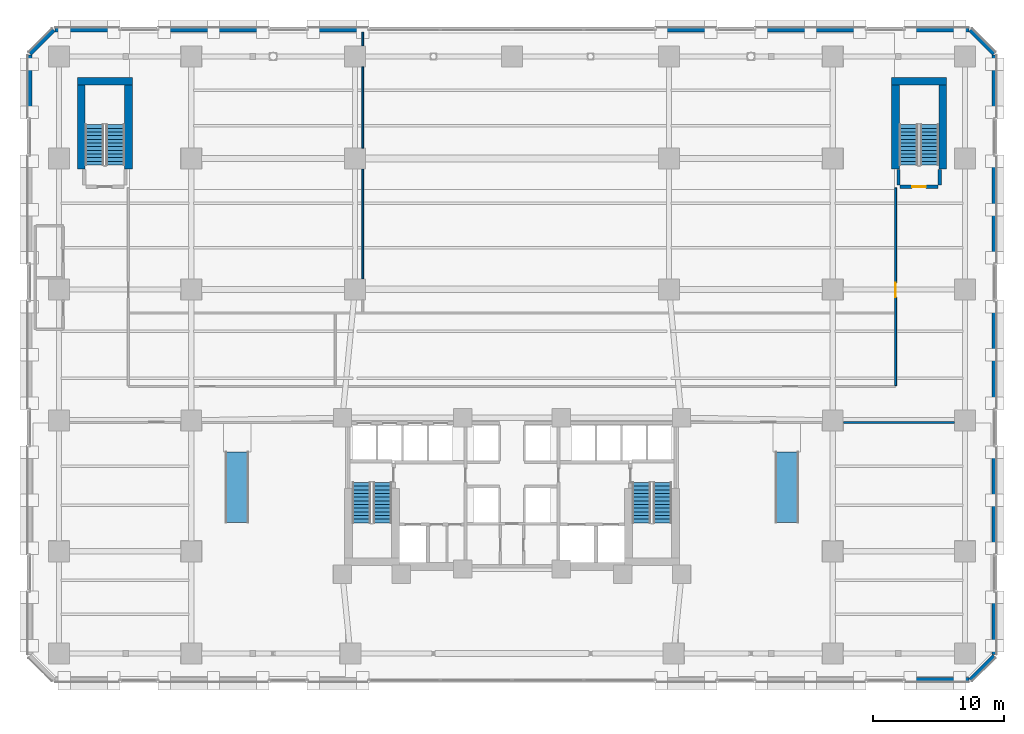
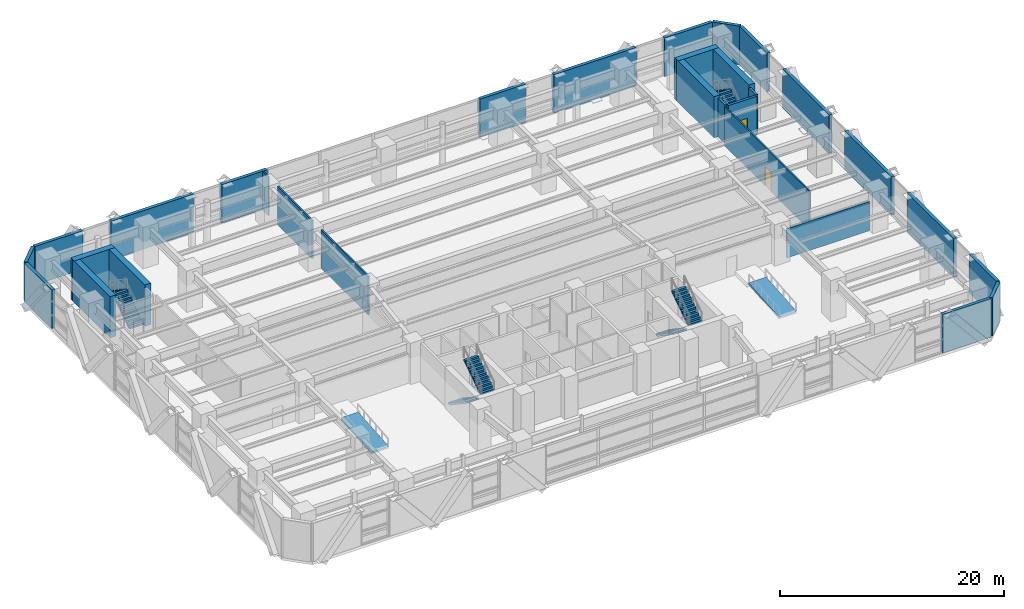
# One storey, part 16 of 26: 30 walls, 8 stair flights, 2 doors, 2 ramp flights, 2 openings, 6 elements without a shape of their own.
"""IFC4 building model written with IfcOpenShell, lengths in metres."""

from ifc_helpers import new_model, si_unit, direction, frame, frame_2d, origin, place, context, subcontext, project, spatial, polyline, rectangle, outline, extrude, material, layer, layer_set, type_object, element, fill, aggregate, save


model = new_model("IFC4")

# Units and contexts
model_context = context("Model", 3, precision=1e-05, world=origin(), true_north=direction((0.0, 1.0)))
body_context = subcontext(model_context, "Body", "Model", "MODEL_VIEW")
ifc_project = project(units=[si_unit("LENGTHUNIT", "METRE"), si_unit("AREAUNIT", "SQUARE_METRE"), si_unit("VOLUMEUNIT", "CUBIC_METRE"), si_unit("PLANEANGLEUNIT", "RADIAN"), si_unit("MASSUNIT", "GRAM", prefix="KILO")], contexts=[model_context])

# Site, building, storey
site_placement = place(None, origin())
site = spatial("IfcSite", under=ifc_project, at=site_placement, CompositionType="ELEMENT")
building_placement = place(site_placement, origin())
building = spatial("IfcBuilding", under=site, at=building_placement, Name="Quenlor Broadcast Tower", CompositionType="ELEMENT")
storey_placement = place(building_placement, frame((0.0, 0.0, 5.0)))
storey = spatial("IfcBuildingStorey", under=building, at=storey_placement, Name="L01", CompositionType="ELEMENT", Elevation=5.0)

# Wall, opening, door
ifc_material_1 = material(Name="Acoustic Double Stud Gypsum Partition", Category="other")
ifc_layer_1 = layer(ifc_material_1, 0.14990234375)
ifc_layer_set_1 = layer_set([ifc_layer_1], Name="Broadcast Studio Acoustic Partition 150")
wall_type_1 = type_object("IfcWallType", Name="Broadcast Studio Acoustic Partition 150", PredefinedType="PARTITIONING", material=ifc_layer_set_1)
wall_1_placement = place(storey_placement, frame((29.300048828125, -2.337890625, 0.0), z_axis=(0.0, 0.0, 1.0), x_axis=(0.0, 1.0, 0.0)))
wall_1 = element("IfcWall", 1, at=wall_1_placement, inside=storey, type_object=wall_type_1, Name="L01 Interior Wall PW-PD-LE", PredefinedType="PARTITIONING", context=body_context, shape_type="SweptSolid", body=[
    extrude(rectangle(XDim=15.087890625, YDim=0.14990234375, at=frame_2d((7.5439453125, 0.0))), origin(), (0.0, 0.0, 1.0), 4.199951171875),
])
opening_1_placement = place(wall_1_placement, frame((6.738037109375, 0.0, 0.0)))
opening_1 = element("IfcOpeningElement", 2, at=opening_1_placement, cuts=wall_1, Name="Opening ID-2", PredefinedType="OPENING", context=body_context, shape_type="SweptSolid", body=[
    extrude(rectangle(XDim=1.10009765625, YDim=2.14990234375, at=frame_2d((0.550048828125, 1.074951171875))), frame((0.0, 0.0849609375, 0.0), z_axis=(0.0, -1.0, 0.0), x_axis=(1.0, 0.0, 0.0)), (0.0, 0.0, 1.0), 0.169921875),
])
ifc_material_2 = material(Name="Acoustic Laminated Timber Oak", Category="wood")
door_type_1 = type_object("IfcDoorType", Name="Wide Studio Acoustic Timber Door 1100x2150", OperationType="NOTDEFINED", PredefinedType="DOOR", material=ifc_material_2)
door_1_placement = place(opening_1_placement, origin())
door_1 = element("IfcDoor", 3, at=door_1_placement, inside=storey, type_object=door_type_1, Name="L01 Door DR-PD6", OperationType="SINGLE_SWING_RIGHT", OverallHeight=2.14990234375, OverallWidth=1.10009765625, PredefinedType="DOOR", context=body_context, shape_type="SweptSolid", body=[
    extrude(rectangle(XDim=1.10009765625, YDim=2.14990234375, at=frame_2d((0.550048828125, 1.074951171875))), frame((0.0, 0.02490234375, 0.0), z_axis=(0.0, -1.0, 0.0), x_axis=(1.0, 0.0, 0.0)), (0.0, 0.0, 1.0), 0.050048828125),
])
fill(opening_1, door_1)

# Walls
wall_2_placement = place(storey_placement, frame((-11.39990234375, 5.802001953125, 0.0), z_axis=(0.0, 0.0, 1.0), x_axis=(0.0, 1.0, 0.0)))
element("IfcWall", 4, at=wall_2_placement, inside=storey, type_object=wall_type_1, Name="L01 Interior Wall PW-PD-VX2S2", PredefinedType="PARTITIONING", context=body_context, shape_type="SweptSolid", body=[
    extrude(rectangle(XDim=8.39599609375, YDim=0.14990234375, at=frame_2d((4.197998046875, 0.0))), origin(), (0.0, 0.0, 1.0), 4.199951171875),
])
wall_3_placement = place(storey_placement, frame((-11.39990234375, 15.802001953125, 0.0), z_axis=(0.0, 0.0, 1.0), x_axis=(0.0, 1.0, 0.0)))
element("IfcWall", 5, at=wall_3_placement, inside=storey, type_object=wall_type_1, Name="L01 Interior Wall PW-PD-VX2S3", PredefinedType="PARTITIONING", context=body_context, shape_type="SweptSolid", body=[
    extrude(rectangle(XDim=6.196044921875, YDim=0.14990234375, at=frame_2d((3.09814453125, 0.0))), origin(), (0.0, 0.0, 1.0), 4.199951171875),
])
wall_4_placement = place(storey_placement, frame((-11.39990234375, 23.60205078125, 0.0), z_axis=(0.0, 0.0, 1.0), x_axis=(0.0, 1.0, 0.0)))
element("IfcWall", 6, at=wall_4_placement, inside=storey, type_object=wall_type_1, Name="L01 Interior Wall PW-PD-VX2S4", PredefinedType="PARTITIONING", context=body_context, shape_type="SweptSolid", body=[
    extrude(rectangle(XDim=1.055908203125, YDim=0.14990234375, at=frame_2d((0.52783203125, 0.0))), origin(), (0.0, 0.0, 1.0), 4.199951171875),
])
ifc_material_3 = material(Name="Concrete C65/80", Category="concrete")
ifc_layer_2 = layer(ifc_material_3, 0.60009765625)
ifc_layer_set_2 = layer_set([ifc_layer_2], Name="Core Concrete C65/80 Shear Wall 600")
wall_type_2 = type_object("IfcWallType", Name="Core Concrete C65/80 Shear Wall 600", PredefinedType="SHEAR", material=ifc_layer_set_2)
wall_5_placement = place(storey_placement, frame((-33.199951171875, 20.89990234375, 0.0), z_axis=(0.0, 0.0, 1.0), x_axis=(1.0, 0.0, 0.0)))
element("IfcWall", 7, at=wall_5_placement, inside=storey, type_object=wall_type_2, Name="L01 Core Shear Wall ST3-N", PredefinedType="SHEAR", context=body_context, shape_type="SweptSolid", body=[
    extrude(rectangle(XDim=4.199951171875, YDim=0.60009765625, at=frame_2d((2.10009765625, 0.0))), origin(), (0.0, 0.0, 1.0), 4.5),
])
for number, where, z_axis, x_axis, name in (
    (8, (-32.89990234375, 14.199951171875, 0.0), (0.0, 0.0, 1.0), (0.0, 1.0, 0.0), "L01 Core Shear Wall ST3-W"),
    (9, (-29.300048828125, 14.199951171875, 0.0), (0.0, 0.0, 1.0), (0.0, 1.0, 0.0), "L01 Core Shear Wall ST3-E"),
):
    element("IfcWall", number, at=place(storey_placement, frame(where, z_axis=z_axis, x_axis=x_axis)), inside=storey, type_object=wall_type_2, Name=name, PredefinedType="SHEAR", context=body_context, shape_type="SweptSolid", body=[
        extrude(rectangle(XDim=6.699951171875, YDim=0.60009765625, at=frame_2d((3.35009765625, 0.0))), origin(), (0.0, 0.0, 1.0), 4.5),
    ])
wall_6_placement = place(storey_placement, frame((29.0, 20.89990234375, 0.0), z_axis=(0.0, 0.0, 1.0), x_axis=(1.0, 0.0, 0.0)))
element("IfcWall", 10, at=wall_6_placement, inside=storey, type_object=wall_type_2, Name="L01 Core Shear Wall ST4-N", PredefinedType="SHEAR", context=body_context, shape_type="SweptSolid", body=[
    extrude(rectangle(XDim=4.199951171875, YDim=0.60009765625, at=frame_2d((2.10009765625, 0.0))), origin(), (0.0, 0.0, 1.0), 4.5),
])
for number, where, z_axis, x_axis, name in (
    (11, (29.300048828125, 14.199951171875, 0.0), (0.0, 0.0, 1.0), (0.0, 1.0, 0.0), "L01 Core Shear Wall ST4-W"),
    (12, (32.89990234375, 14.199951171875, 0.0), (0.0, 0.0, 1.0), (0.0, 1.0, 0.0), "L01 Core Shear Wall ST4-E"),
):
    element("IfcWall", number, at=place(storey_placement, frame(where, z_axis=z_axis, x_axis=x_axis)), inside=storey, type_object=wall_type_2, Name=name, PredefinedType="SHEAR", context=body_context, shape_type="SweptSolid", body=[
        extrude(rectangle(XDim=6.699951171875, YDim=0.60009765625, at=frame_2d((3.35009765625, 0.0))), origin(), (0.0, 0.0, 1.0), 4.5),
    ])

# Wall, opening, door
ifc_material_4 = material(Name="Concrete C40/50", Category="concrete")
ifc_layer_3 = layer(ifc_material_4, 0.25)
ifc_layer_set_3 = layer_set([ifc_layer_3], Name="Fire Rated Concrete C40/50 Core Wall 250")
wall_type_3 = type_object("IfcWallType", Name="Fire Rated Concrete C40/50 Core Wall 250", PredefinedType="PARTITIONING", material=ifc_layer_set_3)
wall_7_placement = place(storey_placement, frame((29.64990234375, 12.840087890625, 0.0), z_axis=(0.0, 0.0, 1.0), x_axis=(1.0, 0.0, 0.0)))
wall_7 = element("IfcWall", 13, at=wall_7_placement, inside=storey, type_object=wall_type_3, Name="L01 Interior Wall CW-ST4-S", PredefinedType="PARTITIONING", context=body_context, shape_type="SweptSolid", body=[
    extrude(rectangle(XDim=2.900146484375, YDim=0.25, at=frame_2d((1.4501953125, 0.0))), origin(), (0.0, 0.0, 1.0), 4.199951171875),
])
opening_2_placement = place(wall_7_placement, frame((0.919921875, 0.0, 0.0)))
opening_2 = element("IfcOpeningElement", 14, at=opening_2_placement, cuts=wall_7, Name="Opening FD-1", PredefinedType="OPENING", context=body_context, shape_type="SweptSolid", body=[
    extrude(rectangle(XDim=1.050048828125, YDim=2.14990234375, at=frame_2d((0.52490234375, 1.074951171875))), frame((0.0, 0.135009765625, 0.0), z_axis=(0.0, -1.0, 0.0), x_axis=(1.0, 0.0, 0.0)), (0.0, 0.0, 1.0), 0.27001953125),
])
ifc_material_5 = material(Name="Fire Rated Steel Door Leaf", Category="steel")
door_type_2 = type_object("IfcDoorType", Name="Fire Isolated Stair Door 1050x2150", OperationType="NOTDEFINED", PredefinedType="DOOR", material=ifc_material_5)
door_2_placement = place(opening_2_placement, origin())
door_2 = element("IfcDoor", 15, at=door_2_placement, inside=storey, type_object=door_type_2, Name="L01 Door DR-ST4", OperationType="SINGLE_SWING_RIGHT", OverallHeight=2.14990234375, OverallWidth=1.050048828125, PredefinedType="DOOR", context=body_context, shape_type="SweptSolid", body=[
    extrude(rectangle(XDim=1.050048828125, YDim=2.14990234375, at=frame_2d((0.52490234375, 1.074951171875))), frame((0.0, 0.02490234375, 0.0), z_axis=(0.0, -1.0, 0.0), x_axis=(1.0, 0.0, 0.0)), (0.0, 0.0, 1.0), 0.050048828125),
])
fill(opening_2, door_2)

# Walls
for number, where, z_axis, x_axis, name in (
    (16, (29.52001953125, 12.9599609375, 0.0), (0.0, 0.0, 1.0), (0.0, 1.0, 0.0), "L01 Interior Wall CW-ST4-W1"),
    (17, (32.679931640625, 12.9599609375, 0.0), (0.0, 0.0, 1.0), (0.0, 1.0, 0.0), "L01 Interior Wall CW-ST4-E1"),
):
    element("IfcWall", number, at=place(storey_placement, frame(where, z_axis=z_axis, x_axis=x_axis)), inside=storey, type_object=wall_type_3, Name=name, PredefinedType="PARTITIONING", context=body_context, shape_type="SweptSolid", body=[
        extrude(rectangle(XDim=1.219970703125, YDim=0.25, at=frame_2d((0.60986328125, 0.0))), origin(), (0.0, 0.0, 1.0), 4.199951171875),
    ])
ifc_material_6 = material(Name="Gypsum Fireboard Partition", Category="other")
ifc_layer_4 = layer(ifc_material_6, 0.159912109375)
ifc_layer_set_4 = layer_set([ifc_layer_4], Name="Fire Rated Shaft and Corridor Partition 160")
wall_type_4 = type_object("IfcWallType", Name="Fire Rated Shaft and Corridor Partition 160", PredefinedType="PARTITIONING", material=ifc_layer_set_4)
wall_8_placement = place(storey_placement, frame((25.302001953125, -5.14990234375, 0.0), z_axis=(0.0, 0.0, 1.0), x_axis=(1.0, 0.0, 0.0)))
element("IfcWall", 18, at=wall_8_placement, inside=storey, type_object=wall_type_4, Name="L01 Interior Wall PW-PD-CSES2", PredefinedType="PARTITIONING", context=body_context, shape_type="SweptSolid", body=[
    extrude(rectangle(XDim=8.49609375, YDim=0.159912109375, at=frame_2d((4.248046875, 0.0))), origin(), (0.0, 0.0, 1.0), 3.176025390625),
])
ifc_material_7 = material(Name="Precast concrete C40/50", Category="concrete")
ifc_layer_5 = layer(ifc_material_7, 0.320068359375)
ifc_layer_set_5 = layer_set([ifc_layer_5], Name="Station Podium Precast Concrete C40/50 Facade Wall 320")
wall_type_5 = type_object("IfcWallType", Name="Station Podium Precast Concrete C40/50 Facade Wall 320", PredefinedType="STANDARD", material=ifc_layer_set_5)
for number, where, z_axis, x_axis, name in (
    (19, (34.89990234375, -24.820068359375, 0.0), (0.0, 0.0, 1.0), (-1.0, 0.0, 0.0), "L01 Exterior Wall L01-S-FULL-SP1"),
    (20, (-34.89990234375, 24.820068359375, 0.0), (0.0, 0.0, 1.0), (1.0, 0.0, 0.0), "L01 Exterior Wall L01-N-FULL-SP1"),
):
    element("IfcWall", number, at=place(storey_placement, frame(where, z_axis=z_axis, x_axis=x_axis)), inside=storey, type_object=wall_type_5, Name=name, PredefinedType="STANDARD", context=body_context, shape_type="SweptSolid", body=[
        extrude(rectangle(XDim=4.949462890625, YDim=0.320068359375, at=frame_2d((2.474609375, 0.0))), origin(), (0.0, 0.0, 1.0), 4.199951171875),
    ])
wall_9_placement = place(storey_placement, frame((-27.049560546875, 24.820068359375, 0.0), z_axis=(0.0, 0.0, 1.0), x_axis=(1.0, 0.0, 0.0)))
element("IfcWall", 21, at=wall_9_placement, inside=storey, type_object=wall_type_5, Name="L01 Exterior Wall L01-N-FULL-SP2", PredefinedType="STANDARD", context=body_context, shape_type="SweptSolid", body=[
    extrude(rectangle(XDim=8.4990234375, YDim=0.320068359375, at=frame_2d((4.24951171875, 0.0))), origin(), (0.0, 0.0, 1.0), 4.199951171875),
])
for number, where, z_axis, x_axis, name in (
    (22, (-15.6494140625, 24.820068359375, 0.0), (0.0, 0.0, 1.0), (1.0, 0.0, 0.0), "L01 Exterior Wall L01-N-FULL-SP3"),
    (23, (10.950439453125, 24.820068359375, 0.0), (0.0, 0.0, 1.0), (1.0, 0.0, 0.0), "L01 Exterior Wall L01-N-FULL-SP4"),
):
    element("IfcWall", number, at=place(storey_placement, frame(where, z_axis=z_axis, x_axis=x_axis)), inside=storey, type_object=wall_type_5, Name=name, PredefinedType="STANDARD", context=body_context, shape_type="SweptSolid", body=[
        extrude(rectangle(XDim=4.698974609375, YDim=0.320068359375, at=frame_2d((2.349609375, 0.0))), origin(), (0.0, 0.0, 1.0), 4.199951171875),
    ])
wall_10_placement = place(storey_placement, frame((18.550537109375, 24.820068359375, 0.0), z_axis=(0.0, 0.0, 1.0), x_axis=(1.0, 0.0, 0.0)))
element("IfcWall", 24, at=wall_10_placement, inside=storey, type_object=wall_type_5, Name="L01 Exterior Wall L01-N-FULL-SP5", PredefinedType="STANDARD", context=body_context, shape_type="SweptSolid", body=[
    extrude(rectangle(XDim=8.4990234375, YDim=0.320068359375, at=frame_2d((4.24951171875, 0.0))), origin(), (0.0, 0.0, 1.0), 4.199951171875),
])
wall_11_placement = place(storey_placement, frame((29.950439453125, 24.820068359375, 0.0), z_axis=(0.0, 0.0, 1.0), x_axis=(1.0, 0.0, 0.0)))
element("IfcWall", 25, at=wall_11_placement, inside=storey, type_object=wall_type_5, Name="L01 Exterior Wall L01-N-FULL-SP6", PredefinedType="STANDARD", context=body_context, shape_type="SweptSolid", body=[
    extrude(rectangle(XDim=4.949462890625, YDim=0.320068359375, at=frame_2d((2.474609375, 0.0))), origin(), (0.0, 0.0, 1.0), 4.199951171875),
])
for number, where, z_axis, x_axis, name in (
    (26, (-36.820068359375, 18.04736328125, 0.0), (0.0, 0.0, 1.0), (0.0, 1.0, 0.0), "L01 Exterior Wall L01-W-FULL-SP5"),
    (27, (36.820068359375, 22.89990234375, 0.0), (0.0, 0.0, 1.0), (0.0, -1.0, 0.0), "L01 Exterior Wall L01-E-FULL-SP1"),
):
    element("IfcWall", number, at=place(storey_placement, frame(where, z_axis=z_axis, x_axis=x_axis)), inside=storey, type_object=wall_type_5, Name=name, PredefinedType="STANDARD", context=body_context, shape_type="SweptSolid", body=[
        extrude(rectangle(XDim=4.8525390625, YDim=0.320068359375, at=frame_2d((2.42626953125, 0.0))), origin(), (0.0, 0.0, 1.0), 4.199951171875),
    ])
wall_12_placement = place(storey_placement, frame((36.820068359375, 15.252685546875, 0.0), z_axis=(0.0, 0.0, 1.0), x_axis=(0.0, -1.0, 0.0)))
element("IfcWall", 28, at=wall_12_placement, inside=storey, type_object=wall_type_5, Name="L01 Exterior Wall L01-E-FULL-SP2", PredefinedType="STANDARD", context=body_context, shape_type="SweptSolid", body=[
    extrude(rectangle(XDim=8.305419921875, YDim=0.320068359375, at=frame_2d((4.15283203125, 0.0))), origin(), (0.0, 0.0, 1.0), 4.199951171875),
])
wall_13_placement = place(storey_placement, frame((36.820068359375, 4.152587890625, 0.0), z_axis=(0.0, 0.0, 1.0), x_axis=(0.0, -1.0, 0.0)))
element("IfcWall", 29, at=wall_13_placement, inside=storey, type_object=wall_type_5, Name="L01 Exterior Wall L01-E-FULL-SP3", PredefinedType="STANDARD", context=body_context, shape_type="SweptSolid", body=[
    extrude(rectangle(XDim=8.30517578125, YDim=0.320068359375, at=frame_2d((4.152587890625, 0.0))), origin(), (0.0, 0.0, 1.0), 4.199951171875),
])
wall_14_placement = place(storey_placement, frame((36.820068359375, -6.947265625, 0.0), z_axis=(0.0, 0.0, 1.0), x_axis=(0.0, -1.0, 0.0)))
element("IfcWall", 30, at=wall_14_placement, inside=storey, type_object=wall_type_5, Name="L01 Exterior Wall L01-E-FULL-SP4", PredefinedType="STANDARD", context=body_context, shape_type="SweptSolid", body=[
    extrude(rectangle(XDim=8.305419921875, YDim=0.320068359375, at=frame_2d((4.15283203125, 0.0))), origin(), (0.0, 0.0, 1.0), 4.199951171875),
])
wall_15_placement = place(storey_placement, frame((36.820068359375, -18.04736328125, 0.0), z_axis=(0.0, 0.0, 1.0), x_axis=(0.0, -1.0, 0.0)))
element("IfcWall", 31, at=wall_15_placement, inside=storey, type_object=wall_type_5, Name="L01 Exterior Wall L01-E-FULL-SP5", PredefinedType="STANDARD", context=body_context, shape_type="SweptSolid", body=[
    extrude(rectangle(XDim=4.8525390625, YDim=0.320068359375, at=frame_2d((2.42626953125, 0.0))), origin(), (0.0, 0.0, 1.0), 4.199951171875),
])
for number, where, z_axis, x_axis, name in (
    (32, (36.820068359375, -23.0, 0.0), (0.0, 0.0, 1.0), (-0.707106781187, -0.707106781187, 0.0), "L01 Exterior Wall L01-EW-CSE"),
    (33, (-36.820068359375, 23.0, 0.0), (0.0, 0.0, 1.0), (0.707106781187, 0.707106781187, 0.0), "L01 Exterior Wall L01-EW-CNW"),
    (34, (35.0, 24.820068359375, 0.0), (0.0, 0.0, 1.0), (0.707106781187, -0.707106781187, 0.0), "L01 Exterior Wall L01-EW-CNE"),
):
    element("IfcWall", number, at=place(storey_placement, frame(where, z_axis=z_axis, x_axis=x_axis)), inside=storey, type_object=wall_type_5, Name=name, PredefinedType="STANDARD", context=body_context, shape_type="SweptSolid", body=[
        extrude(rectangle(XDim=2.573974609375, YDim=0.320068359375, at=frame_2d((1.287109375, 0.0))), origin(), (0.0, 0.0, 1.0), 4.199951171875),
    ])

# Stair, stair flights
ifc_material_8 = material(Name="Precast concrete C40/50", Category="concrete")
stair_type = type_object("IfcStairType", Name="Precast Concrete C40/50 Dogleg Stair H450", PredefinedType="HALF_TURN_STAIR", material=ifc_material_8)
stair_1_placement = place(storey_placement, origin())
stair_1 = element("IfcStair", 35, at=stair_1_placement, inside=storey, type_object=stair_type, Name="L01 West Core Fire-Isolated Exit Stair ST-1", PredefinedType="HALF_TURN_STAIR")
ifc_material_9 = material(Name="Precast concrete C40/50", Category="concrete")
ifc_layer_6 = layer(ifc_material_9, 0.175048828125)
ifc_layer_set_6 = layer_set([ifc_layer_6], Name="Precast Concrete C40/50 Stair Flight H450")
stair_flight_type = type_object("IfcStairFlightType", Name="Precast Concrete C40/50 Stair Flight H450", PredefinedType="STRAIGHT", material=ifc_layer_set_6)
stair_flight_1_placement = place(storey_placement, frame((-11.5, -9.75, 0.0), z_axis=(0.0, 0.0, 1.0), x_axis=(0.0, -1.0, 0.0)))
stair_flight_1 = element("IfcStairFlight", 36, at=stair_flight_1_placement, type_object=stair_flight_type, Name="ST-1 flight 1", NumberOfRisers=12, NumberOfTreads=11, PredefinedType="STRAIGHT", RiserHeight=0.1875, TreadLength=0.28, context=body_context, shape_type="SweptSolid", body=[
    extrude(outline(polyline([(0.0, 0.0), (0.0, 0.1875), (0.280029296875, 0.1875), (0.280029296875, 0.375), (0.56005859375, 0.375), (0.56005859375, 0.5625), (0.840087890625, 0.5625), (0.840087890625, 0.75), (1.1201171875, 0.75), (1.1201171875, 0.9375), (1.39990234375, 0.9375), (1.39990234375, 1.125), (1.679931640625, 1.125), (1.679931640625, 1.3125), (1.9599609375, 1.3125), (1.9599609375, 1.5), (2.239990234375, 1.5), (2.239990234375, 1.6875), (2.52001953125, 1.6875), (2.52001953125, 1.875), (2.800048828125, 1.875), (2.800048828125, 2.0625), (3.080078125, 2.0625), (3.080078125, 2.25), (3.080078125, 1.882080078125), (0.26953125, 0.0), (0.0, 0.0)])), frame((0.0, 0.699951171875, 0.0), z_axis=(0.0, -1.0, 0.0), x_axis=(1.0, 0.0, 0.0)), (0.0, 0.0, 1.0), 1.39990234375),
])
stair_flight_2_placement = place(storey_placement, frame((-9.89990234375, -12.830078125, 2.25), z_axis=(0.0, 0.0, 1.0), x_axis=(0.0, 1.0, 0.0)))
stair_flight_2 = element("IfcStairFlight", 37, at=stair_flight_2_placement, type_object=stair_flight_type, Name="ST-1 flight 2", NumberOfRisers=12, NumberOfTreads=11, PredefinedType="STRAIGHT", RiserHeight=0.1875, TreadLength=0.28, context=body_context, shape_type="SweptSolid", body=[
    extrude(outline(polyline([(0.0, 0.0), (0.0, 0.1875), (0.280029296875, 0.1875), (0.280029296875, 0.375), (0.56005859375, 0.375), (0.56005859375, 0.5625), (0.840087890625, 0.5625), (0.840087890625, 0.75), (1.1201171875, 0.75), (1.1201171875, 0.9375), (1.39990234375, 0.9375), (1.39990234375, 1.125), (1.679931640625, 1.125), (1.679931640625, 1.3125), (1.9599609375, 1.3125), (1.9599609375, 1.5), (2.239990234375, 1.5), (2.239990234375, 1.6875), (2.52001953125, 1.6875), (2.52001953125, 1.875), (2.800048828125, 1.875), (2.800048828125, 2.0625), (3.080078125, 2.0625), (3.080078125, 2.25), (3.080078125, 1.882080078125), (0.26953125, 0.0), (0.0, 0.0)])), frame((0.0, 0.699951171875, 0.0), z_axis=(0.0, -1.0, 0.0), x_axis=(1.0, 0.0, 0.0)), (0.0, 0.0, 1.0), 1.39990234375),
])
aggregate(stair_1, [stair_flight_1, stair_flight_2])

stair_2_placement = place(storey_placement, origin())
stair_2 = element("IfcStair", 38, at=stair_2_placement, inside=storey, type_object=stair_type, Name="L01 East Core Fire-Isolated Exit Stair ST-2", PredefinedType="HALF_TURN_STAIR")
stair_flight_3_placement = place(storey_placement, frame((9.89990234375, -9.75, 0.0), z_axis=(0.0, 0.0, 1.0), x_axis=(0.0, -1.0, 0.0)))
stair_flight_3 = element("IfcStairFlight", 39, at=stair_flight_3_placement, type_object=stair_flight_type, Name="ST-2 flight 1", NumberOfRisers=12, NumberOfTreads=11, PredefinedType="STRAIGHT", RiserHeight=0.1875, TreadLength=0.28, context=body_context, shape_type="SweptSolid", body=[
    extrude(outline(polyline([(0.0, 0.0), (0.0, 0.1875), (0.280029296875, 0.1875), (0.280029296875, 0.375), (0.56005859375, 0.375), (0.56005859375, 0.5625), (0.840087890625, 0.5625), (0.840087890625, 0.75), (1.1201171875, 0.75), (1.1201171875, 0.9375), (1.39990234375, 0.9375), (1.39990234375, 1.125), (1.679931640625, 1.125), (1.679931640625, 1.3125), (1.9599609375, 1.3125), (1.9599609375, 1.5), (2.239990234375, 1.5), (2.239990234375, 1.6875), (2.52001953125, 1.6875), (2.52001953125, 1.875), (2.800048828125, 1.875), (2.800048828125, 2.0625), (3.080078125, 2.0625), (3.080078125, 2.25), (3.080078125, 1.882080078125), (0.26953125, 0.0), (0.0, 0.0)])), frame((0.0, 0.699951171875, 0.0), z_axis=(0.0, -1.0, 0.0), x_axis=(1.0, 0.0, 0.0)), (0.0, 0.0, 1.0), 1.39990234375),
])
stair_flight_4_placement = place(storey_placement, frame((11.5, -12.830078125, 2.25), z_axis=(0.0, 0.0, 1.0), x_axis=(0.0, 1.0, 0.0)))
stair_flight_4 = element("IfcStairFlight", 40, at=stair_flight_4_placement, type_object=stair_flight_type, Name="ST-2 flight 2", NumberOfRisers=12, NumberOfTreads=11, PredefinedType="STRAIGHT", RiserHeight=0.1875, TreadLength=0.28, context=body_context, shape_type="SweptSolid", body=[
    extrude(outline(polyline([(0.0, 0.0), (0.0, 0.1875), (0.280029296875, 0.1875), (0.280029296875, 0.375), (0.56005859375, 0.375), (0.56005859375, 0.5625), (0.840087890625, 0.5625), (0.840087890625, 0.75), (1.1201171875, 0.75), (1.1201171875, 0.9375), (1.39990234375, 0.9375), (1.39990234375, 1.125), (1.679931640625, 1.125), (1.679931640625, 1.3125), (1.9599609375, 1.3125), (1.9599609375, 1.5), (2.239990234375, 1.5), (2.239990234375, 1.6875), (2.52001953125, 1.6875), (2.52001953125, 1.875), (2.800048828125, 1.875), (2.800048828125, 2.0625), (3.080078125, 2.0625), (3.080078125, 2.25), (3.080078125, 1.882080078125), (0.26953125, 0.0), (0.0, 0.0)])), frame((0.0, 0.699951171875, 0.0), z_axis=(0.0, -1.0, 0.0), x_axis=(1.0, 0.0, 0.0)), (0.0, 0.0, 1.0), 1.39990234375),
])
aggregate(stair_2, [stair_flight_3, stair_flight_4])

stair_3_placement = place(storey_placement, origin())
stair_3 = element("IfcStair", 41, at=stair_3_placement, inside=storey, type_object=stair_type, Name="L01 Station Podium North-West Exit Stair ST-3", PredefinedType="HALF_TURN_STAIR")
stair_flight_5_placement = place(storey_placement, frame((-30.300048828125, 14.5, 0.0), z_axis=(0.0, 0.0, 1.0), x_axis=(0.0, 1.0, 0.0)))
stair_flight_5 = element("IfcStairFlight", 42, at=stair_flight_5_placement, type_object=stair_flight_type, Name="ST-3 flight 1", NumberOfRisers=12, NumberOfTreads=11, PredefinedType="STRAIGHT", RiserHeight=0.1875, TreadLength=0.28, context=body_context, shape_type="SweptSolid", body=[
    extrude(outline(polyline([(0.0, 0.0), (0.0, 0.1875), (0.280029296875, 0.1875), (0.280029296875, 0.375), (0.56005859375, 0.375), (0.56005859375, 0.5625), (0.840087890625, 0.5625), (0.840087890625, 0.75), (1.1201171875, 0.75), (1.1201171875, 0.9375), (1.39990234375, 0.9375), (1.39990234375, 1.125), (1.679931640625, 1.125), (1.679931640625, 1.3125), (1.9599609375, 1.3125), (1.9599609375, 1.5), (2.239990234375, 1.5), (2.239990234375, 1.6875), (2.52001953125, 1.6875), (2.52001953125, 1.875), (2.800048828125, 1.875), (2.800048828125, 2.0625), (3.080078125, 2.0625), (3.080078125, 2.25), (3.080078125, 1.882080078125), (0.26953125, 0.0), (0.0, 0.0)])), frame((0.0, 0.699951171875, 0.0), z_axis=(0.0, -1.0, 0.0), x_axis=(1.0, 0.0, 0.0)), (0.0, 0.0, 1.0), 1.39990234375),
])
stair_flight_6_placement = place(storey_placement, frame((-31.89990234375, 17.580078125, 2.25), z_axis=(0.0, 0.0, 1.0), x_axis=(0.0, -1.0, 0.0)))
stair_flight_6 = element("IfcStairFlight", 43, at=stair_flight_6_placement, type_object=stair_flight_type, Name="ST-3 flight 2", NumberOfRisers=12, NumberOfTreads=11, PredefinedType="STRAIGHT", RiserHeight=0.1875, TreadLength=0.28, context=body_context, shape_type="SweptSolid", body=[
    extrude(outline(polyline([(0.0, 0.0), (0.0, 0.1875), (0.280029296875, 0.1875), (0.280029296875, 0.375), (0.56005859375, 0.375), (0.56005859375, 0.5625), (0.840087890625, 0.5625), (0.840087890625, 0.75), (1.1201171875, 0.75), (1.1201171875, 0.9375), (1.39990234375, 0.9375), (1.39990234375, 1.125), (1.679931640625, 1.125), (1.679931640625, 1.3125), (1.9599609375, 1.3125), (1.9599609375, 1.5), (2.239990234375, 1.5), (2.239990234375, 1.6875), (2.52001953125, 1.6875), (2.52001953125, 1.875), (2.800048828125, 1.875), (2.800048828125, 2.0625), (3.080078125, 2.0625), (3.080078125, 2.25), (3.080078125, 1.882080078125), (0.26953125, 0.0), (0.0, 0.0)])), frame((0.0, 0.699951171875, 0.0), z_axis=(0.0, -1.0, 0.0), x_axis=(1.0, 0.0, 0.0)), (0.0, 0.0, 1.0), 1.39990234375),
])
aggregate(stair_3, [stair_flight_5, stair_flight_6])

stair_4_placement = place(storey_placement, origin())
stair_4 = element("IfcStair", 44, at=stair_4_placement, inside=storey, type_object=stair_type, Name="L01 Station Podium North-East Exit Stair ST-4", PredefinedType="HALF_TURN_STAIR")
stair_flight_7_placement = place(storey_placement, frame((31.89990234375, 14.5, 0.0), z_axis=(0.0, 0.0, 1.0), x_axis=(0.0, 1.0, 0.0)))
stair_flight_7 = element("IfcStairFlight", 45, at=stair_flight_7_placement, type_object=stair_flight_type, Name="ST-4 flight 1", NumberOfRisers=12, NumberOfTreads=11, PredefinedType="STRAIGHT", RiserHeight=0.1875, TreadLength=0.28, context=body_context, shape_type="SweptSolid", body=[
    extrude(outline(polyline([(0.0, 0.0), (0.0, 0.1875), (0.280029296875, 0.1875), (0.280029296875, 0.375), (0.56005859375, 0.375), (0.56005859375, 0.5625), (0.840087890625, 0.5625), (0.840087890625, 0.75), (1.1201171875, 0.75), (1.1201171875, 0.9375), (1.39990234375, 0.9375), (1.39990234375, 1.125), (1.679931640625, 1.125), (1.679931640625, 1.3125), (1.9599609375, 1.3125), (1.9599609375, 1.5), (2.239990234375, 1.5), (2.239990234375, 1.6875), (2.52001953125, 1.6875), (2.52001953125, 1.875), (2.800048828125, 1.875), (2.800048828125, 2.0625), (3.080078125, 2.0625), (3.080078125, 2.25), (3.080078125, 1.882080078125), (0.26953125, 0.0), (0.0, 0.0)])), frame((0.0, 0.699951171875, 0.0), z_axis=(0.0, -1.0, 0.0), x_axis=(1.0, 0.0, 0.0)), (0.0, 0.0, 1.0), 1.39990234375),
])
stair_flight_8_placement = place(storey_placement, frame((30.300048828125, 17.580078125, 2.25), z_axis=(0.0, 0.0, 1.0), x_axis=(0.0, -1.0, 0.0)))
stair_flight_8 = element("IfcStairFlight", 46, at=stair_flight_8_placement, type_object=stair_flight_type, Name="ST-4 flight 2", NumberOfRisers=12, NumberOfTreads=11, PredefinedType="STRAIGHT", RiserHeight=0.1875, TreadLength=0.28, context=body_context, shape_type="SweptSolid", body=[
    extrude(outline(polyline([(0.0, 0.0), (0.0, 0.1875), (0.280029296875, 0.1875), (0.280029296875, 0.375), (0.56005859375, 0.375), (0.56005859375, 0.5625), (0.840087890625, 0.5625), (0.840087890625, 0.75), (1.1201171875, 0.75), (1.1201171875, 0.9375), (1.39990234375, 0.9375), (1.39990234375, 1.125), (1.679931640625, 1.125), (1.679931640625, 1.3125), (1.9599609375, 1.3125), (1.9599609375, 1.5), (2.239990234375, 1.5), (2.239990234375, 1.6875), (2.52001953125, 1.6875), (2.52001953125, 1.875), (2.800048828125, 1.875), (2.800048828125, 2.0625), (3.080078125, 2.0625), (3.080078125, 2.25), (3.080078125, 1.882080078125), (0.26953125, 0.0), (0.0, 0.0)])), frame((0.0, 0.699951171875, 0.0), z_axis=(0.0, -1.0, 0.0), x_axis=(1.0, 0.0, 0.0)), (0.0, 0.0, 1.0), 1.39990234375),
])
aggregate(stair_4, [stair_flight_7, stair_flight_8])

# Ramp, ramp flight
ifc_material_10 = material(Name="Concrete C40/50", Category="concrete")
ramp_type = type_object("IfcRampType", Name="Accessible Concourse Concrete C40/50 Ramp 1800", PredefinedType="STRAIGHT_RUN_RAMP", material=ifc_material_10)
ramp_1_placement = place(storey_placement, origin())
ramp_1 = element("IfcRamp", 47, at=ramp_1_placement, inside=storey, type_object=ramp_type, Name="L01 Accessible Concourse Pedestrian Ramp 1", PredefinedType="STRAIGHT_RUN_RAMP")
ifc_material_11 = material(Name="Concrete C40/50", Category="concrete")
ifc_layer_7 = layer(ifc_material_11, 0.219970703125)
ifc_layer_set_7 = layer_set([ifc_layer_7], Name="Accessible Concrete C40/50 Ramp Flight 1800")
ramp_flight_type = type_object("IfcRampFlightType", Name="Accessible Concrete C40/50 Ramp Flight 1800", PredefinedType="STRAIGHT", material=ifc_layer_set_7)
ramp_flight_1_placement = place(storey_placement, frame((-21.0, -12.800048828125, 0.0), z_axis=(0.0, 0.0, 1.0), x_axis=(0.0, 1.0, 0.0)))
ramp_flight_1 = element("IfcRampFlight", 48, at=ramp_flight_1_placement, type_object=ramp_flight_type, Name="L01 Accessible Pedestrian Ramp Flight 1", PredefinedType="STRAIGHT", context=body_context, shape_type="SweptSolid", body=[
    extrude(outline(polyline([(0.0, 0.0), (5.39990234375, 0.449951171875), (5.39990234375, 0.229248046875), (0.0, -0.220703125), (0.0, 0.0)])), frame((0.0, 0.89990234375, 0.0), z_axis=(0.0, -1.0, 0.0), x_axis=(1.0, 0.0, 0.0)), (0.0, 0.0, 1.0), 1.800048828125),
])
aggregate(ramp_1, [ramp_flight_1])

ramp_2_placement = place(storey_placement, origin())
ramp_2 = element("IfcRamp", 49, at=ramp_2_placement, inside=storey, type_object=ramp_type, Name="L01 Accessible Concourse Pedestrian Ramp 2", PredefinedType="STRAIGHT_RUN_RAMP")
ramp_flight_2_placement = place(storey_placement, frame((21.0, -12.800048828125, 0.0), z_axis=(0.0, 0.0, 1.0), x_axis=(0.0, 1.0, 0.0)))
ramp_flight_2 = element("IfcRampFlight", 50, at=ramp_flight_2_placement, type_object=ramp_flight_type, Name="L01 Accessible Pedestrian Ramp Flight 2", PredefinedType="STRAIGHT", context=body_context, shape_type="SweptSolid", body=[
    extrude(outline(polyline([(0.0, 0.0), (5.39990234375, 0.449951171875), (5.39990234375, 0.229248046875), (0.0, -0.220703125), (0.0, 0.0)])), frame((0.0, 0.89990234375, 0.0), z_axis=(0.0, -1.0, 0.0), x_axis=(1.0, 0.0, 0.0)), (0.0, 0.0, 1.0), 1.800048828125),
])
aggregate(ramp_2, [ramp_flight_2])

save(model, "model.ifc")
